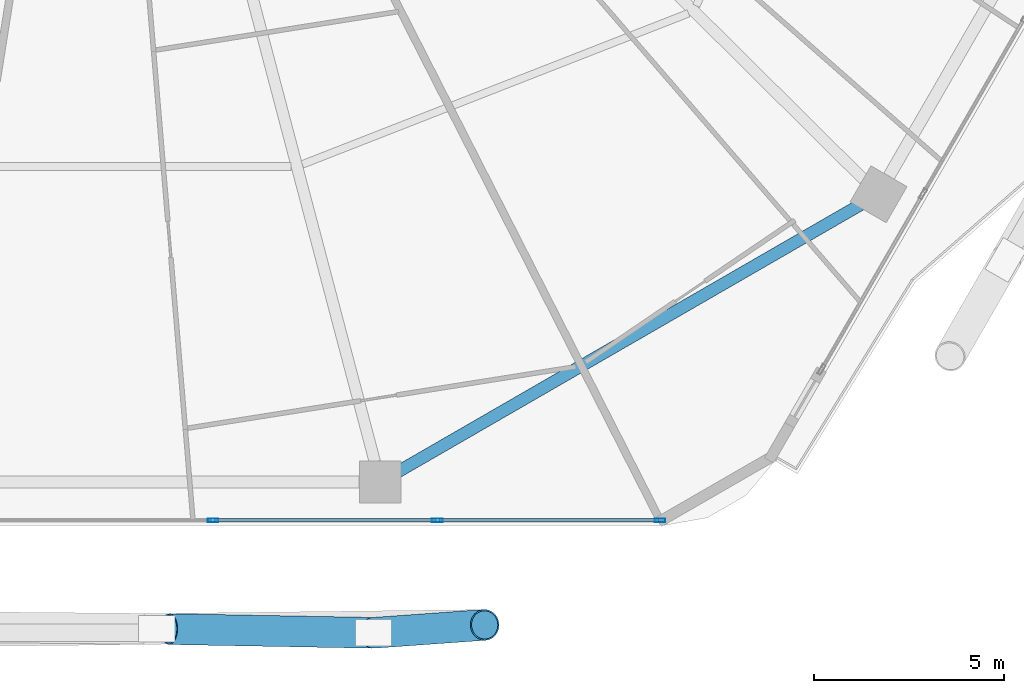
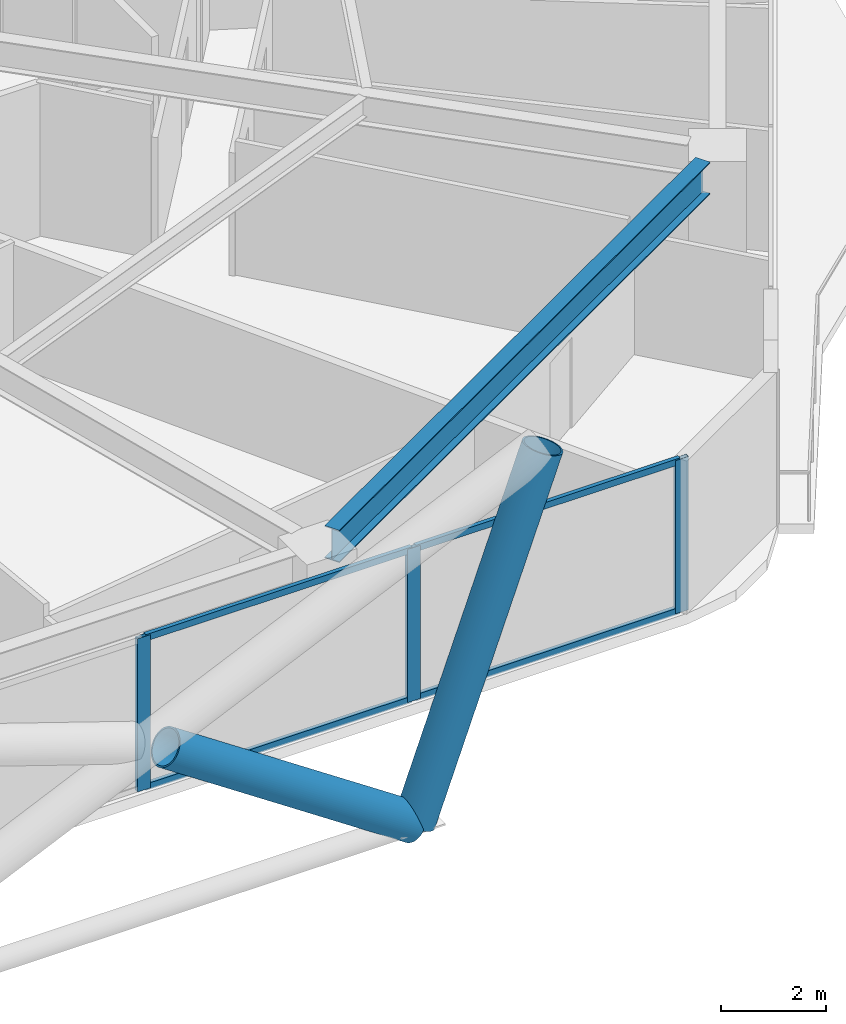
# One storey, part 7 of 34: 9 members, 1 beam, 1 element without a shape of its own.
"""IFC4 building model written with IfcOpenShell, lengths in metres."""

from ifc_helpers import new_model, si_unit, direction, frame, origin, origin_2d, place, context, subcontext, project, spatial, hollow_rectangle, hollow_circle, i_section, extrude, material, material_profile, profile_set, type_object, element, aggregate, save


model = new_model("IFC4")

# Units and contexts
model_context = context("Model", 3, precision=1e-05, world=origin(), true_north=direction((0.0, 1.0)))
body_context = subcontext(model_context, "Body", "Model", "MODEL_VIEW")
ifc_project = project(units=[si_unit("LENGTHUNIT", "METRE"), si_unit("AREAUNIT", "SQUARE_METRE"), si_unit("VOLUMEUNIT", "CUBIC_METRE"), si_unit("PLANEANGLEUNIT", "RADIAN"), si_unit("MASSUNIT", "GRAM", prefix="KILO")], contexts=[model_context])

# Site, building, storey
site_placement = place(None, origin())
site = spatial("IfcSite", under=ifc_project, at=site_placement, CompositionType="ELEMENT")
building_placement = place(site_placement, origin())
building = spatial("IfcBuilding", under=site, at=building_placement, Name="Zuhravey Tower", CompositionType="ELEMENT")
storey_placement = place(building_placement, frame((0.0, 0.0, 130.39990234375)))
storey = spatial("IfcBuildingStorey", under=building, at=storey_placement, Name="L32", CompositionType="ELEMENT", Elevation=130.39990234375)

# Curtain wall, members
ifc_material_1 = material(Name="Thermally broken anodised aluminium", Category="aluminium")
curtain_wall_type = type_object("IfcCurtainWallType", Name="Zone 1-2 Residential Curtain Wall CW3", PredefinedType="NOTDEFINED", material=ifc_material_1)
curtain_wall_placement = place(storey_placement, origin())
curtain_wall = element("IfcCurtainWall", 1, at=curtain_wall_placement, inside=storey, type_object=curtain_wall_type, Name="L32 CW3 CW-L32-F5-1", PredefinedType="NOTDEFINED")
ifc_material_2 = material(Name="Anodised aluminium", Category="aluminium")
ifc_material_profile_1 = material_profile(ifc_material_2, hollow_rectangle(XDim=0.090087890625, YDim=0.284912109375, WallThickness=0.0048828125, at=origin_2d()), Name="ALU-RHS-90x285x5")
ifc_profile_set_1 = profile_set([ifc_material_profile_1], Name="Anodised aluminium")
member_type_1 = type_object("IfcMemberType", Name="Curtain-Wall Mullion 90x180", PredefinedType="MULLION", material=ifc_profile_set_1)
member_1_placement = place(storey_placement, frame((50.75439453125, 3.04150390625, 0.0), z_axis=(0.0, 0.0, 1.0), x_axis=(0.0, -1.0, 0.0)))
member_1 = element("IfcMember", 2, at=member_1_placement, type_object=member_type_1, Name="CW3 mullion 1", PredefinedType="MULLION", context=body_context, shape_type="SweptSolid", body=[
    extrude(hollow_rectangle(XDim=0.090087890625, YDim=0.284912109375, WallThickness=0.0048828125, at=origin_2d()), origin(), (0.0, 0.0, 1.0), 3.550048828125),
])
member_2_placement = place(storey_placement, frame((44.879638671875, 3.04150390625, 0.0), z_axis=(0.0, 0.0, 1.0), x_axis=(0.0, -1.0, 0.0)))
member_2 = element("IfcMember", 3, at=member_2_placement, type_object=member_type_1, Name="CW3 mullion 2", PredefinedType="MULLION", context=body_context, shape_type="SweptSolid", body=[
    extrude(hollow_rectangle(XDim=0.090087890625, YDim=0.284912109375, WallThickness=0.0048828125, at=origin_2d()), origin(), (0.0, 0.0, 1.0), 3.550048828125),
])
member_3_placement = place(storey_placement, frame((38.9599609375, 3.04150390625, 0.0), z_axis=(0.0, 0.0, 1.0), x_axis=(0.0, -1.0, 0.0)))
member_3 = element("IfcMember", 4, at=member_3_placement, type_object=member_type_1, Name="CW3 mullion 3", PredefinedType="MULLION", context=body_context, shape_type="SweptSolid", body=[
    extrude(hollow_rectangle(XDim=0.090087890625, YDim=0.284912109375, WallThickness=0.0048828125, at=origin_2d()), origin(), (0.0, 0.0, 1.0), 3.550048828125),
])
ifc_material_profile_2 = material_profile(ifc_material_2, hollow_rectangle(XDim=0.090087890625, YDim=0.14990234375, WallThickness=0.0048828125, at=origin_2d()), Name="ALU-RHS-90x150x5")
ifc_profile_set_2 = profile_set([ifc_material_profile_2], Name="Anodised aluminium")
member_type_2 = type_object("IfcMemberType", Name="Curtain-Wall Transom 90x150", PredefinedType="USERDEFINED", material=ifc_profile_set_2)
member_4_placement = place(storey_placement, frame((50.70947265625, 3.04150390625, 0.045166015625), z_axis=(-1.0, 0.0, 0.0), x_axis=(0.0, -1.0, 0.0)))
member_4 = element("IfcMember", 5, at=member_4_placement, type_object=member_type_2, Name="CW3 transom 1.1", ObjectType="TRANSOM", PredefinedType="USERDEFINED", context=body_context, shape_type="SweptSolid", body=[
    extrude(hollow_rectangle(XDim=0.090087890625, YDim=0.14990234375, WallThickness=0.0048828125, at=origin_2d()), origin(), (0.0, 0.0, 1.0), 5.78466796875),
])
member_5_placement = place(storey_placement, frame((50.70947265625, 3.04150390625, 3.505126953125), z_axis=(-1.0, 0.0, 0.0), x_axis=(0.0, -1.0, 0.0)))
member_5 = element("IfcMember", 6, at=member_5_placement, type_object=member_type_2, Name="CW3 transom 1.2", ObjectType="TRANSOM", PredefinedType="USERDEFINED", context=body_context, shape_type="SweptSolid", body=[
    extrude(hollow_rectangle(XDim=0.090087890625, YDim=0.14990234375, WallThickness=0.0048828125, at=origin_2d()), origin(), (0.0, 0.0, 1.0), 5.78466796875),
])
member_6_placement = place(storey_placement, frame((44.834716796875, 3.04150390625, 0.045166015625), z_axis=(-1.0, 0.0, 0.0), x_axis=(0.0, -1.0, 0.0)))
member_6 = element("IfcMember", 7, at=member_6_placement, type_object=member_type_2, Name="CW3 transom 2.1", ObjectType="TRANSOM", PredefinedType="USERDEFINED", context=body_context, shape_type="SweptSolid", body=[
    extrude(hollow_rectangle(XDim=0.090087890625, YDim=0.14990234375, WallThickness=0.0048828125, at=origin_2d()), origin(), (0.0, 0.0, 1.0), 5.829833984375),
])
member_7_placement = place(storey_placement, frame((44.834716796875, 3.04150390625, 3.505126953125), z_axis=(-1.0, 0.0, 0.0), x_axis=(0.0, -1.0, 0.0)))
member_7 = element("IfcMember", 8, at=member_7_placement, type_object=member_type_2, Name="CW3 transom 2.2", ObjectType="TRANSOM", PredefinedType="USERDEFINED", context=body_context, shape_type="SweptSolid", body=[
    extrude(hollow_rectangle(XDim=0.090087890625, YDim=0.14990234375, WallThickness=0.0048828125, at=origin_2d()), origin(), (0.0, 0.0, 1.0), 5.829833984375),
])
aggregate(curtain_wall, [member_1, member_2, member_3, member_4, member_5, member_6, member_7])

# Members
ifc_material_3 = material(Name="Steel SM460", Category="steel")
ifc_material_profile_3 = material_profile(ifc_material_3, hollow_circle(Radius=0.406494140625, WallThickness=0.035888671875, at=origin_2d()), Name="CHS-812.8x36")
ifc_profile_set_3 = profile_set([ifc_material_profile_3], Name="Steel SM460")
member_type_3 = type_object("IfcMemberType", Name="Exoskeleton Zone 1 Diagrid CHS813x36", PredefinedType="BRACE", material=ifc_profile_set_3)
member_8_placement = place(storey_placement, frame((43.202392578125, 0.072021484375, -0.44189453125), z_axis=(0.3609721094, 0.0257837221, 0.932220111299), x_axis=(-0.071247049988, 0.997458699831, 0.0)))
element("IfcMember", 9, at=member_8_placement, inside=storey, type_object=member_type_3, Name="L32 Face 5 Diagrid Brace 4", PredefinedType="BRACE", context=body_context, shape_type="SweptSolid", body=[
    extrude(hollow_circle(Radius=0.406494140625, WallThickness=0.035888671875, at=origin_2d()), origin(), (0.0, 0.0, 1.0), 8.105224609375),
])
member_9_placement = place(storey_placement, frame((43.148193359375, 0.072265625, -0.43359375), z_axis=(-0.832958151372, 0.015290614953, 0.553124683193), x_axis=(-0.018353910417, -0.999831552799, 0.0)))
element("IfcMember", 10, at=member_9_placement, inside=storey, type_object=member_type_3, Name="L32 Face 5 Split Diagrid Brace 3A", PredefinedType="BRACE", context=body_context, shape_type="SweptSolid", body=[
    extrude(hollow_circle(Radius=0.406494140625, WallThickness=0.035888671875, at=origin_2d()), origin(), (0.0, 0.0, 1.0), 6.418701171875),
])

# Beam
ifc_material_4 = material(Name="Steel SM355", Category="steel")
ifc_material_profile_4 = material_profile(ifc_material_4, i_section(OverallWidth=0.320068359375, OverallDepth=0.75, WebThickness=0.013916015625, FlangeThickness=0.02490234375, at=origin_2d()), Name="H-750x320x14x25")
ifc_profile_set_4 = profile_set([ifc_material_profile_4], Name="Steel SM355")
beam_type = type_object("IfcBeamType", Name="Perimeter Ring Beam H750x320", PredefinedType="BEAM", material=ifc_profile_set_4)
beam_placement = place(storey_placement, frame((43.848876953125, 4.327880859375, 3.175048828125), z_axis=(0.866017786538, 0.500013193225, 0.0), x_axis=(-0.500013193225, 0.866017786538, 0.0)))
element("IfcBeam", 11, at=beam_placement, inside=storey, type_object=beam_type, Name="L32 PB1 BM-L32-PB-10", PredefinedType="BEAM", context=body_context, shape_type="SweptSolid", body=[
    extrude(i_section(OverallWidth=0.320068359375, OverallDepth=0.75, WebThickness=0.013916015625, FlangeThickness=0.02490234375, at=origin_2d()), origin(), (0.0, 0.0, 1.0), 14.0771484375),
])

save(model, "model.ifc")
